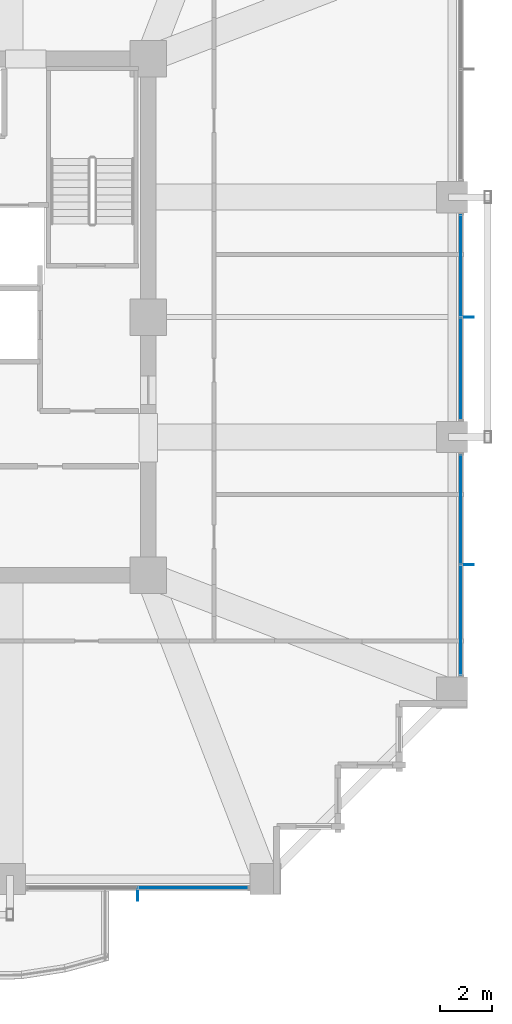
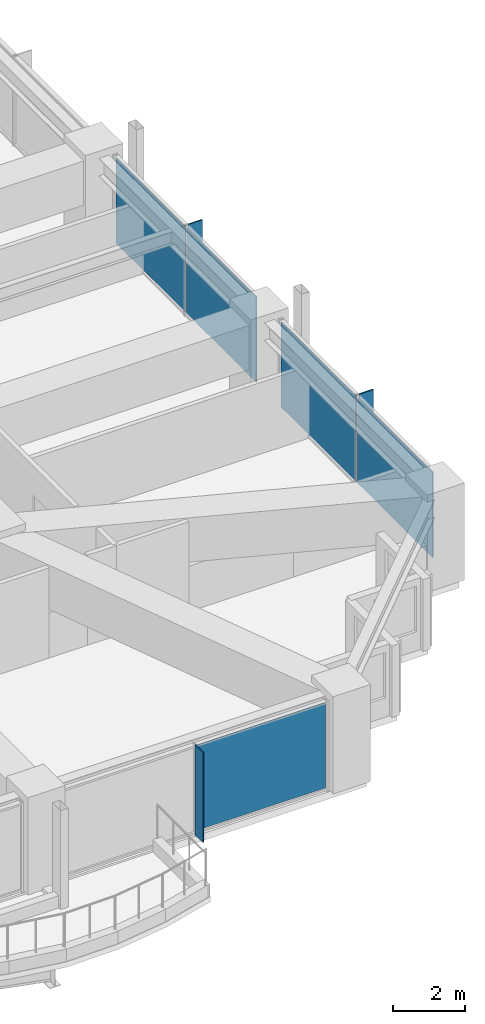
# One storey, part 28 of 37: 8 plates, 3 elements without a shape of their own.
"""IFC4 building model written with IfcOpenShell, lengths in metres."""

from ifc_helpers import new_model, si_unit, direction, frame, origin, origin_2d, place, context, subcontext, project, spatial, rectangle, extrude, material, layer, layer_set, type_object, element, aggregate, save


model = new_model("IFC4")

# Units and contexts
model_context = context("Model", 3, precision=1e-05, world=origin(), true_north=direction((0.0, 1.0)))
body_context = subcontext(model_context, "Body", "Model", "MODEL_VIEW")
ifc_project = project(units=[si_unit("LENGTHUNIT", "METRE"), si_unit("AREAUNIT", "SQUARE_METRE"), si_unit("VOLUMEUNIT", "CUBIC_METRE"), si_unit("PLANEANGLEUNIT", "RADIAN"), si_unit("MASSUNIT", "GRAM", prefix="KILO")], contexts=[model_context])

# Site, building, storey
site_placement = place(None, origin())
site = spatial("IfcSite", under=ifc_project, at=site_placement, CompositionType="ELEMENT")
building_placement = place(site_placement, origin())
building = spatial("IfcBuilding", under=site, at=building_placement, Name="Kolvaren Belvedere", CompositionType="ELEMENT")
storey_placement = place(building_placement, frame((0.0, 0.0, 43.60009765625)))
storey = spatial("IfcBuildingStorey", under=building, at=storey_placement, Name="L12", CompositionType="ELEMENT", Elevation=43.60009765625)

# Curtain wall, plate
ifc_material_1 = material(Name="Anodised pale-metal aluminium AA 6063-T6", Category="aluminium")
curtain_wall_type = type_object("IfcCurtainWallType", Name="CW-Z1-LOW", PredefinedType="NOTDEFINED", material=ifc_material_1)
curtain_wall_1_placement = place(storey_placement, origin())
curtain_wall_1 = element("IfcCurtainWall", 1, at=curtain_wall_1_placement, inside=storey, type_object=curtain_wall_type, Name="L12 Unitised Curtain Wall FCW-L12-S1-B1", PredefinedType="NOTDEFINED")
ifc_material_2 = material(Name="Low-iron triple insulated glass", Category="glass")
ifc_layer_1 = layer(ifc_material_2, 0.028076171875)
ifc_layer_set_1 = layer_set([ifc_layer_1], Name="Low-iron triple insulated glass")
plate_type_1 = type_object("IfcPlateType", Name="CW-PNL-VIS28", PredefinedType="CURTAIN_PANEL", material=ifc_layer_set_1)
plate_1_placement = place(storey_placement, frame((11.62255859375, -21.8798828125, 0.079833984375), z_axis=(0.0, 0.0, 1.0), x_axis=(-1.0, 0.0, 0.0)))
plate_1 = element("IfcPlate", 2, at=plate_1_placement, type_object=plate_type_1, Name="FCW-L12-S1-B1 Vision Glazing Panel 1", PredefinedType="CURTAIN_PANEL", context=body_context, shape_type="SweptSolid", body=[
    extrude(rectangle(XDim=4.1650390625, YDim=0.028076171875, at=origin_2d()), origin(), (0.0, 0.0, 1.0), 2.89990234375),
])
aggregate(curtain_wall_1, [plate_1])

# Curtain wall, plates
curtain_wall_2_placement = place(storey_placement, origin())
curtain_wall_2 = element("IfcCurtainWall", 3, at=curtain_wall_2_placement, inside=storey, type_object=curtain_wall_type, Name="L12 Unitised Curtain Wall FCW-L12-E-B2", PredefinedType="NOTDEFINED")
plate_2_placement = place(storey_placement, frame((21.8798828125, 1.972412109375, 0.079833984375), z_axis=(0.0, 0.0, 1.0), x_axis=(0.0, -1.0, 0.0)))
plate_2 = element("IfcPlate", 4, at=plate_2_placement, type_object=plate_type_1, Name="FCW-L12-E-B2 Vision Glazing Panel 1", PredefinedType="CURTAIN_PANEL", context=body_context, shape_type="SweptSolid", body=[
    extrude(rectangle(XDim=3.864990234375, YDim=0.028076171875, at=origin_2d()), origin(), (0.0, 0.0, 1.0), 2.89990234375),
])
plate_3_placement = place(storey_placement, frame((21.8798828125, -1.972412109375, 0.079833984375), z_axis=(0.0, 0.0, 1.0), x_axis=(0.0, -1.0, 0.0)))
plate_3 = element("IfcPlate", 5, at=plate_3_placement, type_object=plate_type_1, Name="FCW-L12-E-B2 Vision Glazing Panel 2", PredefinedType="CURTAIN_PANEL", context=body_context, shape_type="SweptSolid", body=[
    extrude(rectangle(XDim=3.864990234375, YDim=0.028076171875, at=origin_2d()), origin(), (0.0, 0.0, 1.0), 2.89990234375),
])
aggregate(curtain_wall_2, [plate_2, plate_3])

curtain_wall_3_placement = place(storey_placement, origin())
curtain_wall_3 = element("IfcCurtainWall", 6, at=curtain_wall_3_placement, inside=storey, type_object=curtain_wall_type, Name="L12 Unitised Curtain Wall FCW-L12-E-B3", PredefinedType="NOTDEFINED")
plate_4_placement = place(storey_placement, frame((21.8798828125, -7.37744140625, 0.079833984375), z_axis=(0.0, 0.0, 1.0), x_axis=(0.0, -1.0, 0.0)))
plate_4 = element("IfcPlate", 7, at=plate_4_placement, type_object=plate_type_1, Name="FCW-L12-E-B3 Vision Glazing Panel 1", PredefinedType="CURTAIN_PANEL", context=body_context, shape_type="SweptSolid", body=[
    extrude(rectangle(XDim=4.1650390625, YDim=0.028076171875, at=origin_2d()), origin(), (0.0, 0.0, 1.0), 2.89990234375),
])
plate_5_placement = place(storey_placement, frame((21.8798828125, -11.62255859375, 0.079833984375), z_axis=(0.0, 0.0, 1.0), x_axis=(0.0, -1.0, 0.0)))
plate_5 = element("IfcPlate", 8, at=plate_5_placement, type_object=plate_type_1, Name="FCW-L12-E-B3 Vision Glazing Panel 2", PredefinedType="CURTAIN_PANEL", context=body_context, shape_type="SweptSolid", body=[
    extrude(rectangle(XDim=4.1650390625, YDim=0.028076171875, at=origin_2d()), origin(), (0.0, 0.0, 1.0), 2.89990234375),
])
aggregate(curtain_wall_3, [plate_4, plate_5])

# Plates
ifc_material_3 = material(Name="Anodised pale-metal aluminium AA 6063-T6", Category="aluminium")
ifc_layer_2 = layer(ifc_material_3, 0.0380859375)
ifc_layer_set_2 = layer_set([ifc_layer_2], Name="Anodised pale-metal aluminium AA 6063-T6")
plate_type_2 = type_object("IfcPlateType", Name="FIN-VERT-450", PredefinedType="USERDEFINED", material=ifc_layer_set_2)
for number, where, z_axis, x_axis, name in (
    (9, (9.5, -22.1650390625, -0.000244140625), (0.0, 0.0, 1.0), (0.0, 1.0, 0.0), "L12 Pale-Metal Vertical Shading Fin FCW-L12-S1-B1-1"),
    (10, (22.1650390625, 0.0, -0.000244140625), (0.0, 0.0, 1.0), (1.0, 0.0, 0.0), "L12 Pale-Metal Vertical Shading Fin FCW-L12-E-B2-1"),
    (11, (22.1650390625, -9.5, -0.000244140625), (0.0, 0.0, 1.0), (1.0, 0.0, 0.0), "L12 Pale-Metal Vertical Shading Fin FCW-L12-E-B3-1"),
):
    element("IfcPlate", number, at=place(storey_placement, frame(where, z_axis=z_axis, x_axis=x_axis)), inside=storey, type_object=plate_type_2, Name=name, ObjectType="VERTICAL FIN", PredefinedType="USERDEFINED", context=body_context, shape_type="SweptSolid", body=[
        extrude(rectangle(XDim=0.449951171875, YDim=0.0380859375, at=origin_2d()), origin(), (0.0, 0.0, 1.0), 3.06005859375),
    ])

save(model, "model.ifc")
